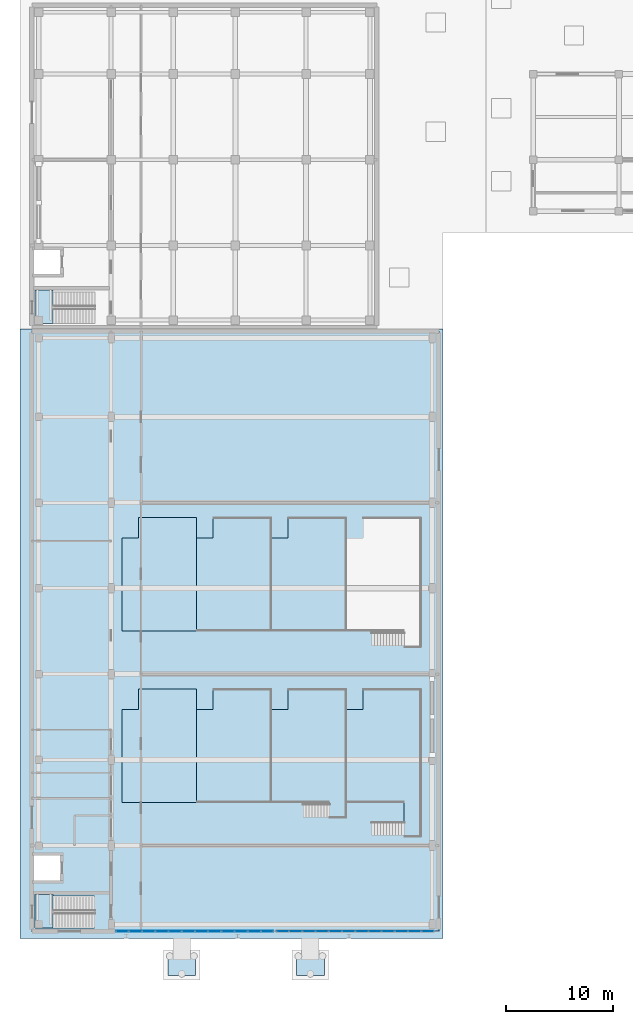
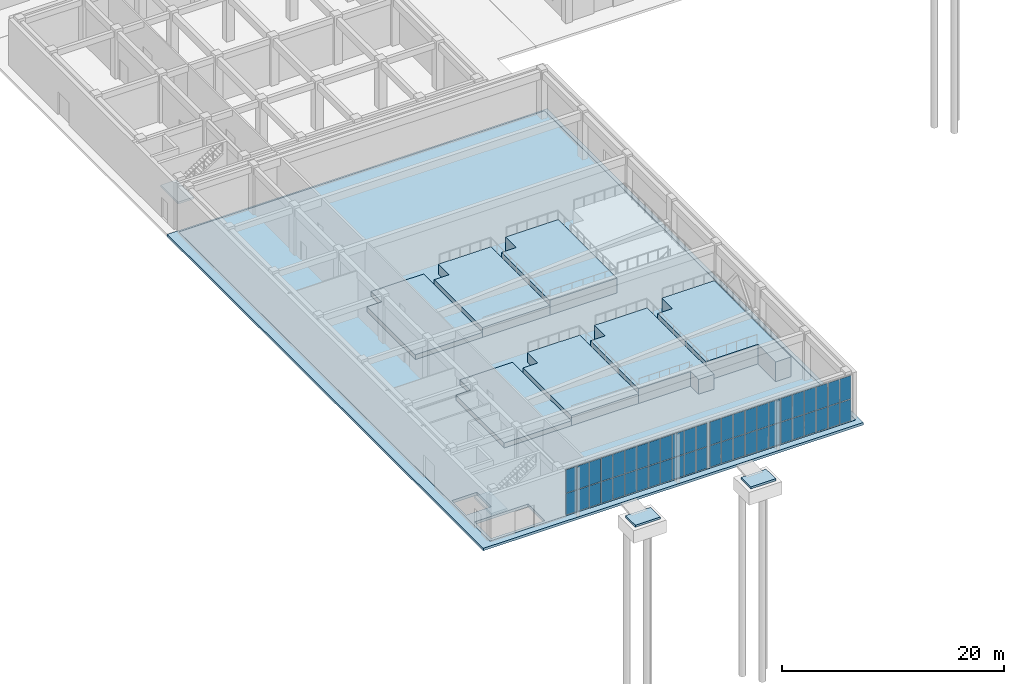
# One storey, part 22 of 46: 48 plates, 13 slabs, 4 elements without a shape of their own.
"""IFC4 building model written with IfcOpenShell, lengths in metres."""

from ifc_helpers import new_model, si_unit, direction, frame, origin, origin_2d, place, context, subcontext, project, spatial, polyline, rectangle, outline, extrude, material, layer, layer_set, type_object, element, aggregate, save


model = new_model("IFC4")

# Units and contexts
model_context = context("Model", 3, precision=1e-05, world=origin(), true_north=direction((0.0, 1.0)))
body_context = subcontext(model_context, "Body", "Model", "MODEL_VIEW")
ifc_project = project(units=[si_unit("LENGTHUNIT", "METRE"), si_unit("AREAUNIT", "SQUARE_METRE"), si_unit("VOLUMEUNIT", "CUBIC_METRE"), si_unit("PLANEANGLEUNIT", "RADIAN"), si_unit("MASSUNIT", "GRAM", prefix="KILO")], contexts=[model_context])

# Site, building, storey
site_placement = place(None, origin())
site = spatial("IfcSite", under=ifc_project, at=site_placement, CompositionType="ELEMENT")
building_placement = place(site_placement, origin())
building = spatial("IfcBuilding", under=site, at=building_placement, Name="Cinchona Park Media Centre", CompositionType="ELEMENT")
storey_placement = place(building_placement, origin())
storey = spatial("IfcBuildingStorey", under=building, at=storey_placement, Name="L00", CompositionType="ELEMENT", Elevation=0.0)

# Curtain wall, plates
ifc_material_1 = material(Name="Aluminium Curtain Wall Framing", Category="aluminium")
ifc_layer_1 = layer(ifc_material_1, 0.179931640625)
ifc_layer_set_1 = layer_set([ifc_layer_1], Name="Aluminium Curtain Wall Framing")
curtain_wall_type_1 = type_object("IfcCurtainWallType", Name="CW-CW01", PredefinedType="USERDEFINED", material=ifc_layer_set_1)
curtain_wall_1_placement = place(storey_placement, origin())
curtain_wall_1 = element("IfcCurtainWall", 1, at=curtain_wall_1_placement, inside=storey, type_object=curtain_wall_type_1, Name="Curtain Wall CW01 L00", ObjectType="UNITISED CURTAIN WALL", PredefinedType="USERDEFINED")
ifc_material_2 = material(Name="Laminated Solar-Control Double Glazing", Category="glass")
ifc_layer_2 = layer(ifc_material_2, 0.0400390625)
ifc_layer_set_2 = layer_set([ifc_layer_2], Name="Laminated Solar-Control Double Glazing")
plate_type_1 = type_object("IfcPlateType", Name="CWPANEL-PNL03", PredefinedType="CURTAIN_PANEL", material=ifc_layer_set_2)
plate_1_placement = place(storey_placement, frame((44.947021484375, 7.60009765625, 0.115234375), z_axis=(0.0, 0.0, 1.0), x_axis=(-1.0, 0.0, 0.0)))
plate_1 = element("IfcPlate", 2, at=plate_1_placement, type_object=plate_type_1, Name="CW01 panel 1.1", PredefinedType="CURTAIN_PANEL", context=body_context, shape_type="SweptSolid", body=[
    extrude(rectangle(XDim=1.1357421875, YDim=0.0400390625, at=origin_2d()), origin(), (0.0, 0.0, 1.0), 2.345458984375),
])
plate_2_placement = place(storey_placement, frame((44.947021484375, 7.60009765625, 2.525390625), z_axis=(0.0, 0.0, 1.0), x_axis=(-1.0, 0.0, 0.0)))
plate_2 = element("IfcPlate", 3, at=plate_2_placement, type_object=plate_type_1, Name="CW01 panel 1.2", PredefinedType="CURTAIN_PANEL", context=body_context, shape_type="SweptSolid", body=[
    extrude(rectangle(XDim=1.1357421875, YDim=0.0400390625, at=origin_2d()), origin(), (0.0, 0.0, 1.0), 2.549560546875),
])
plate_3_placement = place(storey_placement, frame((43.72998046875, 7.60009765625, 0.115234375), z_axis=(0.0, 0.0, 1.0), x_axis=(-1.0, 0.0, 0.0)))
plate_3 = element("IfcPlate", 4, at=plate_3_placement, type_object=plate_type_1, Name="CW01 panel 2.1", PredefinedType="CURTAIN_PANEL", context=body_context, shape_type="SweptSolid", body=[
    extrude(rectangle(XDim=1.168212890625, YDim=0.0400390625, at=origin_2d()), origin(), (0.0, 0.0, 1.0), 2.345458984375),
])
plate_4_placement = place(storey_placement, frame((43.72998046875, 7.60009765625, 2.525390625), z_axis=(0.0, 0.0, 1.0), x_axis=(-1.0, 0.0, 0.0)))
plate_4 = element("IfcPlate", 5, at=plate_4_placement, type_object=plate_type_1, Name="CW01 panel 2.2", PredefinedType="CURTAIN_PANEL", context=body_context, shape_type="SweptSolid", body=[
    extrude(rectangle(XDim=1.168212890625, YDim=0.0400390625, at=origin_2d()), origin(), (0.0, 0.0, 1.0), 2.549560546875),
])
plate_5_placement = place(storey_placement, frame((42.49658203125, 7.60009765625, 0.115234375), z_axis=(0.0, 0.0, 1.0), x_axis=(-1.0, 0.0, 0.0)))
plate_5 = element("IfcPlate", 6, at=plate_5_placement, type_object=plate_type_1, Name="CW01 panel 3.1", PredefinedType="CURTAIN_PANEL", context=body_context, shape_type="SweptSolid", body=[
    extrude(rectangle(XDim=1.168212890625, YDim=0.0400390625, at=origin_2d()), origin(), (0.0, 0.0, 1.0), 2.345458984375),
])
plate_6_placement = place(storey_placement, frame((42.49658203125, 7.60009765625, 2.525390625), z_axis=(0.0, 0.0, 1.0), x_axis=(-1.0, 0.0, 0.0)))
plate_6 = element("IfcPlate", 7, at=plate_6_placement, type_object=plate_type_1, Name="CW01 panel 3.2", PredefinedType="CURTAIN_PANEL", context=body_context, shape_type="SweptSolid", body=[
    extrude(rectangle(XDim=1.168212890625, YDim=0.0400390625, at=origin_2d()), origin(), (0.0, 0.0, 1.0), 2.549560546875),
])
plate_7_placement = place(storey_placement, frame((41.263427734375, 7.60009765625, 0.115234375), z_axis=(0.0, 0.0, 1.0), x_axis=(-1.0, 0.0, 0.0)))
plate_7 = element("IfcPlate", 8, at=plate_7_placement, type_object=plate_type_1, Name="CW01 panel 4.1", PredefinedType="CURTAIN_PANEL", context=body_context, shape_type="SweptSolid", body=[
    extrude(rectangle(XDim=1.168212890625, YDim=0.0400390625, at=origin_2d()), origin(), (0.0, 0.0, 1.0), 2.345458984375),
])
plate_8_placement = place(storey_placement, frame((41.263427734375, 7.60009765625, 2.525390625), z_axis=(0.0, 0.0, 1.0), x_axis=(-1.0, 0.0, 0.0)))
plate_8 = element("IfcPlate", 9, at=plate_8_placement, type_object=plate_type_1, Name="CW01 panel 4.2", PredefinedType="CURTAIN_PANEL", context=body_context, shape_type="SweptSolid", body=[
    extrude(rectangle(XDim=1.168212890625, YDim=0.0400390625, at=origin_2d()), origin(), (0.0, 0.0, 1.0), 2.549560546875),
])
plate_9_placement = place(storey_placement, frame((40.030029296875, 7.60009765625, 0.115234375), z_axis=(0.0, 0.0, 1.0), x_axis=(-1.0, 0.0, 0.0)))
plate_9 = element("IfcPlate", 10, at=plate_9_placement, type_object=plate_type_1, Name="CW01 panel 5.1", PredefinedType="CURTAIN_PANEL", context=body_context, shape_type="SweptSolid", body=[
    extrude(rectangle(XDim=1.168212890625, YDim=0.0400390625, at=origin_2d()), origin(), (0.0, 0.0, 1.0), 2.345458984375),
])
plate_10_placement = place(storey_placement, frame((40.030029296875, 7.60009765625, 2.525390625), z_axis=(0.0, 0.0, 1.0), x_axis=(-1.0, 0.0, 0.0)))
plate_10 = element("IfcPlate", 11, at=plate_10_placement, type_object=plate_type_1, Name="CW01 panel 5.2", PredefinedType="CURTAIN_PANEL", context=body_context, shape_type="SweptSolid", body=[
    extrude(rectangle(XDim=1.168212890625, YDim=0.0400390625, at=origin_2d()), origin(), (0.0, 0.0, 1.0), 2.549560546875),
])
plate_11_placement = place(storey_placement, frame((38.796630859375, 7.60009765625, 0.115234375), z_axis=(0.0, 0.0, 1.0), x_axis=(-1.0, 0.0, 0.0)))
plate_11 = element("IfcPlate", 12, at=plate_11_placement, type_object=plate_type_1, Name="CW01 panel 6.1", PredefinedType="CURTAIN_PANEL", context=body_context, shape_type="SweptSolid", body=[
    extrude(rectangle(XDim=1.168212890625, YDim=0.0400390625, at=origin_2d()), origin(), (0.0, 0.0, 1.0), 2.345458984375),
])
plate_12_placement = place(storey_placement, frame((38.796630859375, 7.60009765625, 2.525390625), z_axis=(0.0, 0.0, 1.0), x_axis=(-1.0, 0.0, 0.0)))
plate_12 = element("IfcPlate", 13, at=plate_12_placement, type_object=plate_type_1, Name="CW01 panel 6.2", PredefinedType="CURTAIN_PANEL", context=body_context, shape_type="SweptSolid", body=[
    extrude(rectangle(XDim=1.168212890625, YDim=0.0400390625, at=origin_2d()), origin(), (0.0, 0.0, 1.0), 2.549560546875),
])
plate_13_placement = place(storey_placement, frame((37.563232421875, 7.60009765625, 0.115234375), z_axis=(0.0, 0.0, 1.0), x_axis=(-1.0, 0.0, 0.0)))
plate_13 = element("IfcPlate", 14, at=plate_13_placement, type_object=plate_type_1, Name="CW01 panel 7.1", PredefinedType="CURTAIN_PANEL", context=body_context, shape_type="SweptSolid", body=[
    extrude(rectangle(XDim=1.168212890625, YDim=0.0400390625, at=origin_2d()), origin(), (0.0, 0.0, 1.0), 2.345458984375),
])
plate_14_placement = place(storey_placement, frame((37.563232421875, 7.60009765625, 2.525390625), z_axis=(0.0, 0.0, 1.0), x_axis=(-1.0, 0.0, 0.0)))
plate_14 = element("IfcPlate", 15, at=plate_14_placement, type_object=plate_type_1, Name="CW01 panel 7.2", PredefinedType="CURTAIN_PANEL", context=body_context, shape_type="SweptSolid", body=[
    extrude(rectangle(XDim=1.168212890625, YDim=0.0400390625, at=origin_2d()), origin(), (0.0, 0.0, 1.0), 2.549560546875),
])
plate_15_placement = place(storey_placement, frame((36.330078125, 7.60009765625, 0.115234375), z_axis=(0.0, 0.0, 1.0), x_axis=(-1.0, 0.0, 0.0)))
plate_15 = element("IfcPlate", 16, at=plate_15_placement, type_object=plate_type_1, Name="CW01 panel 8.1", PredefinedType="CURTAIN_PANEL", context=body_context, shape_type="SweptSolid", body=[
    extrude(rectangle(XDim=1.168212890625, YDim=0.0400390625, at=origin_2d()), origin(), (0.0, 0.0, 1.0), 2.345458984375),
])
plate_16_placement = place(storey_placement, frame((36.330078125, 7.60009765625, 2.525390625), z_axis=(0.0, 0.0, 1.0), x_axis=(-1.0, 0.0, 0.0)))
plate_16 = element("IfcPlate", 17, at=plate_16_placement, type_object=plate_type_1, Name="CW01 panel 8.2", PredefinedType="CURTAIN_PANEL", context=body_context, shape_type="SweptSolid", body=[
    extrude(rectangle(XDim=1.168212890625, YDim=0.0400390625, at=origin_2d()), origin(), (0.0, 0.0, 1.0), 2.549560546875),
])
plate_17_placement = place(storey_placement, frame((35.0966796875, 7.60009765625, 0.115234375), z_axis=(0.0, 0.0, 1.0), x_axis=(-1.0, 0.0, 0.0)))
plate_17 = element("IfcPlate", 18, at=plate_17_placement, type_object=plate_type_1, Name="CW01 panel 9.1", PredefinedType="CURTAIN_PANEL", context=body_context, shape_type="SweptSolid", body=[
    extrude(rectangle(XDim=1.168212890625, YDim=0.0400390625, at=origin_2d()), origin(), (0.0, 0.0, 1.0), 2.345458984375),
])
plate_18_placement = place(storey_placement, frame((35.0966796875, 7.60009765625, 2.525390625), z_axis=(0.0, 0.0, 1.0), x_axis=(-1.0, 0.0, 0.0)))
plate_18 = element("IfcPlate", 19, at=plate_18_placement, type_object=plate_type_1, Name="CW01 panel 9.2", PredefinedType="CURTAIN_PANEL", context=body_context, shape_type="SweptSolid", body=[
    extrude(rectangle(XDim=1.168212890625, YDim=0.0400390625, at=origin_2d()), origin(), (0.0, 0.0, 1.0), 2.549560546875),
])
plate_19_placement = place(storey_placement, frame((33.86328125, 7.60009765625, 0.115234375), z_axis=(0.0, 0.0, 1.0), x_axis=(-1.0, 0.0, 0.0)))
plate_19 = element("IfcPlate", 20, at=plate_19_placement, type_object=plate_type_1, Name="CW01 panel 10.1", PredefinedType="CURTAIN_PANEL", context=body_context, shape_type="SweptSolid", body=[
    extrude(rectangle(XDim=1.168212890625, YDim=0.0400390625, at=origin_2d()), origin(), (0.0, 0.0, 1.0), 2.345458984375),
])
plate_20_placement = place(storey_placement, frame((33.86328125, 7.60009765625, 2.525390625), z_axis=(0.0, 0.0, 1.0), x_axis=(-1.0, 0.0, 0.0)))
plate_20 = element("IfcPlate", 21, at=plate_20_placement, type_object=plate_type_1, Name="CW01 panel 10.2", PredefinedType="CURTAIN_PANEL", context=body_context, shape_type="SweptSolid", body=[
    extrude(rectangle(XDim=1.168212890625, YDim=0.0400390625, at=origin_2d()), origin(), (0.0, 0.0, 1.0), 2.549560546875),
])
plate_21_placement = place(storey_placement, frame((32.6298828125, 7.60009765625, 0.115234375), z_axis=(0.0, 0.0, 1.0), x_axis=(-1.0, 0.0, 0.0)))
plate_21 = element("IfcPlate", 22, at=plate_21_placement, type_object=plate_type_1, Name="CW01 panel 11.1", PredefinedType="CURTAIN_PANEL", context=body_context, shape_type="SweptSolid", body=[
    extrude(rectangle(XDim=1.168212890625, YDim=0.0400390625, at=origin_2d()), origin(), (0.0, 0.0, 1.0), 2.345458984375),
])
plate_22_placement = place(storey_placement, frame((32.6298828125, 7.60009765625, 2.525390625), z_axis=(0.0, 0.0, 1.0), x_axis=(-1.0, 0.0, 0.0)))
plate_22 = element("IfcPlate", 23, at=plate_22_placement, type_object=plate_type_1, Name="CW01 panel 11.2", PredefinedType="CURTAIN_PANEL", context=body_context, shape_type="SweptSolid", body=[
    extrude(rectangle(XDim=1.168212890625, YDim=0.0400390625, at=origin_2d()), origin(), (0.0, 0.0, 1.0), 2.549560546875),
])
plate_23_placement = place(storey_placement, frame((31.412841796875, 7.60009765625, 0.115234375), z_axis=(0.0, 0.0, 1.0), x_axis=(-1.0, 0.0, 0.0)))
plate_23 = element("IfcPlate", 24, at=plate_23_placement, type_object=plate_type_1, Name="CW01 panel 12.1", PredefinedType="CURTAIN_PANEL", context=body_context, shape_type="SweptSolid", body=[
    extrude(rectangle(XDim=1.1357421875, YDim=0.0400390625, at=origin_2d()), origin(), (0.0, 0.0, 1.0), 2.345458984375),
])
plate_24_placement = place(storey_placement, frame((31.412841796875, 7.60009765625, 2.525390625), z_axis=(0.0, 0.0, 1.0), x_axis=(-1.0, 0.0, 0.0)))
plate_24 = element("IfcPlate", 25, at=plate_24_placement, type_object=plate_type_1, Name="CW01 panel 12.2", PredefinedType="CURTAIN_PANEL", context=body_context, shape_type="SweptSolid", body=[
    extrude(rectangle(XDim=1.1357421875, YDim=0.0400390625, at=origin_2d()), origin(), (0.0, 0.0, 1.0), 2.549560546875),
])
aggregate(curtain_wall_1, [plate_1, plate_2, plate_3, plate_4, plate_5, plate_6, plate_7, plate_8, plate_9, plate_10, plate_11, plate_12, plate_13, plate_14, plate_15, plate_16, plate_17, plate_18, plate_19, plate_20, plate_21, plate_22, plate_23, plate_24])

ifc_material_3 = material(Name="Aluminium Curtain Wall Framing", Category="aluminium")
ifc_layer_3 = layer(ifc_material_3, 0.195068359375)
ifc_layer_set_3 = layer_set([ifc_layer_3], Name="Aluminium Curtain Wall Framing")
curtain_wall_type_2 = type_object("IfcCurtainWallType", Name="CW-CW02", PredefinedType="USERDEFINED", material=ifc_layer_set_3)
curtain_wall_2_placement = place(storey_placement, origin())
curtain_wall_2 = element("IfcCurtainWall", 26, at=curtain_wall_2_placement, inside=storey, type_object=curtain_wall_type_2, Name="Curtain Wall CW02 L00", ObjectType="UNITISED CURTAIN WALL", PredefinedType="USERDEFINED")
ifc_material_4 = material(Name="Laminated Solar-Control Double Glazing", Category="glass")
ifc_layer_4 = layer(ifc_material_4, 0.06005859375)
ifc_layer_set_4 = layer_set([ifc_layer_4], Name="Laminated Solar-Control Double Glazing")
plate_type_2 = type_object("IfcPlateType", Name="CWPANEL-PNL05", PredefinedType="CURTAIN_PANEL", material=ifc_layer_set_4)
plate_25_placement = place(storey_placement, frame((29.987060546875, 7.60009765625, 0.115234375), z_axis=(0.0, 0.0, 1.0), x_axis=(-1.0, 0.0, 0.0)))
plate_25 = element("IfcPlate", 27, at=plate_25_placement, type_object=plate_type_2, Name="CW02 panel 1.1", PredefinedType="CURTAIN_PANEL", context=body_context, shape_type="SweptSolid", body=[
    extrude(rectangle(XDim=1.1357421875, YDim=0.06005859375, at=origin_2d()), origin(), (0.0, 0.0, 1.0), 2.345458984375),
])
plate_26_placement = place(storey_placement, frame((29.987060546875, 7.60009765625, 2.525390625), z_axis=(0.0, 0.0, 1.0), x_axis=(-1.0, 0.0, 0.0)))
plate_26 = element("IfcPlate", 28, at=plate_26_placement, type_object=plate_type_2, Name="CW02 panel 1.2", PredefinedType="CURTAIN_PANEL", context=body_context, shape_type="SweptSolid", body=[
    extrude(rectangle(XDim=1.1357421875, YDim=0.06005859375, at=origin_2d()), origin(), (0.0, 0.0, 1.0), 2.549560546875),
])
plate_27_placement = place(storey_placement, frame((28.77001953125, 7.60009765625, 0.115234375), z_axis=(0.0, 0.0, 1.0), x_axis=(-1.0, 0.0, 0.0)))
plate_27 = element("IfcPlate", 29, at=plate_27_placement, type_object=plate_type_2, Name="CW02 panel 2.1", PredefinedType="CURTAIN_PANEL", context=body_context, shape_type="SweptSolid", body=[
    extrude(rectangle(XDim=1.168212890625, YDim=0.06005859375, at=origin_2d()), origin(), (0.0, 0.0, 1.0), 2.345458984375),
])
plate_28_placement = place(storey_placement, frame((28.77001953125, 7.60009765625, 2.525390625), z_axis=(0.0, 0.0, 1.0), x_axis=(-1.0, 0.0, 0.0)))
plate_28 = element("IfcPlate", 30, at=plate_28_placement, type_object=plate_type_2, Name="CW02 panel 2.2", PredefinedType="CURTAIN_PANEL", context=body_context, shape_type="SweptSolid", body=[
    extrude(rectangle(XDim=1.168212890625, YDim=0.06005859375, at=origin_2d()), origin(), (0.0, 0.0, 1.0), 2.549560546875),
])
plate_29_placement = place(storey_placement, frame((27.53662109375, 7.60009765625, 0.115234375), z_axis=(0.0, 0.0, 1.0), x_axis=(-1.0, 0.0, 0.0)))
plate_29 = element("IfcPlate", 31, at=plate_29_placement, type_object=plate_type_2, Name="CW02 panel 3.1", PredefinedType="CURTAIN_PANEL", context=body_context, shape_type="SweptSolid", body=[
    extrude(rectangle(XDim=1.168212890625, YDim=0.06005859375, at=origin_2d()), origin(), (0.0, 0.0, 1.0), 2.345458984375),
])
plate_30_placement = place(storey_placement, frame((27.53662109375, 7.60009765625, 2.525390625), z_axis=(0.0, 0.0, 1.0), x_axis=(-1.0, 0.0, 0.0)))
plate_30 = element("IfcPlate", 32, at=plate_30_placement, type_object=plate_type_2, Name="CW02 panel 3.2", PredefinedType="CURTAIN_PANEL", context=body_context, shape_type="SweptSolid", body=[
    extrude(rectangle(XDim=1.168212890625, YDim=0.06005859375, at=origin_2d()), origin(), (0.0, 0.0, 1.0), 2.549560546875),
])
plate_31_placement = place(storey_placement, frame((26.30322265625, 7.60009765625, 0.115234375), z_axis=(0.0, 0.0, 1.0), x_axis=(-1.0, 0.0, 0.0)))
plate_31 = element("IfcPlate", 33, at=plate_31_placement, type_object=plate_type_2, Name="CW02 panel 4.1", PredefinedType="CURTAIN_PANEL", context=body_context, shape_type="SweptSolid", body=[
    extrude(rectangle(XDim=1.168212890625, YDim=0.06005859375, at=origin_2d()), origin(), (0.0, 0.0, 1.0), 2.345458984375),
])
plate_32_placement = place(storey_placement, frame((26.30322265625, 7.60009765625, 2.525390625), z_axis=(0.0, 0.0, 1.0), x_axis=(-1.0, 0.0, 0.0)))
plate_32 = element("IfcPlate", 34, at=plate_32_placement, type_object=plate_type_2, Name="CW02 panel 4.2", PredefinedType="CURTAIN_PANEL", context=body_context, shape_type="SweptSolid", body=[
    extrude(rectangle(XDim=1.168212890625, YDim=0.06005859375, at=origin_2d()), origin(), (0.0, 0.0, 1.0), 2.549560546875),
])
plate_33_placement = place(storey_placement, frame((25.070068359375, 7.60009765625, 0.115234375), z_axis=(0.0, 0.0, 1.0), x_axis=(-1.0, 0.0, 0.0)))
plate_33 = element("IfcPlate", 35, at=plate_33_placement, type_object=plate_type_2, Name="CW02 panel 5.1", PredefinedType="CURTAIN_PANEL", context=body_context, shape_type="SweptSolid", body=[
    extrude(rectangle(XDim=1.168212890625, YDim=0.06005859375, at=origin_2d()), origin(), (0.0, 0.0, 1.0), 2.345458984375),
])
plate_34_placement = place(storey_placement, frame((25.070068359375, 7.60009765625, 2.525390625), z_axis=(0.0, 0.0, 1.0), x_axis=(-1.0, 0.0, 0.0)))
plate_34 = element("IfcPlate", 36, at=plate_34_placement, type_object=plate_type_2, Name="CW02 panel 5.2", PredefinedType="CURTAIN_PANEL", context=body_context, shape_type="SweptSolid", body=[
    extrude(rectangle(XDim=1.168212890625, YDim=0.06005859375, at=origin_2d()), origin(), (0.0, 0.0, 1.0), 2.549560546875),
])
plate_35_placement = place(storey_placement, frame((23.836669921875, 7.60009765625, 0.115234375), z_axis=(0.0, 0.0, 1.0), x_axis=(-1.0, 0.0, 0.0)))
plate_35 = element("IfcPlate", 37, at=plate_35_placement, type_object=plate_type_2, Name="CW02 panel 6.1", PredefinedType="CURTAIN_PANEL", context=body_context, shape_type="SweptSolid", body=[
    extrude(rectangle(XDim=1.168212890625, YDim=0.06005859375, at=origin_2d()), origin(), (0.0, 0.0, 1.0), 2.345458984375),
])
plate_36_placement = place(storey_placement, frame((23.836669921875, 7.60009765625, 2.525390625), z_axis=(0.0, 0.0, 1.0), x_axis=(-1.0, 0.0, 0.0)))
plate_36 = element("IfcPlate", 38, at=plate_36_placement, type_object=plate_type_2, Name="CW02 panel 6.2", PredefinedType="CURTAIN_PANEL", context=body_context, shape_type="SweptSolid", body=[
    extrude(rectangle(XDim=1.168212890625, YDim=0.06005859375, at=origin_2d()), origin(), (0.0, 0.0, 1.0), 2.549560546875),
])
plate_37_placement = place(storey_placement, frame((22.603271484375, 7.60009765625, 0.115234375), z_axis=(0.0, 0.0, 1.0), x_axis=(-1.0, 0.0, 0.0)))
plate_37 = element("IfcPlate", 39, at=plate_37_placement, type_object=plate_type_2, Name="CW02 panel 7.1", PredefinedType="CURTAIN_PANEL", context=body_context, shape_type="SweptSolid", body=[
    extrude(rectangle(XDim=1.168212890625, YDim=0.06005859375, at=origin_2d()), origin(), (0.0, 0.0, 1.0), 2.345458984375),
])
plate_38_placement = place(storey_placement, frame((22.603271484375, 7.60009765625, 2.525390625), z_axis=(0.0, 0.0, 1.0), x_axis=(-1.0, 0.0, 0.0)))
plate_38 = element("IfcPlate", 40, at=plate_38_placement, type_object=plate_type_2, Name="CW02 panel 7.2", PredefinedType="CURTAIN_PANEL", context=body_context, shape_type="SweptSolid", body=[
    extrude(rectangle(XDim=1.168212890625, YDim=0.06005859375, at=origin_2d()), origin(), (0.0, 0.0, 1.0), 2.549560546875),
])
plate_39_placement = place(storey_placement, frame((21.3701171875, 7.60009765625, 0.115234375), z_axis=(0.0, 0.0, 1.0), x_axis=(-1.0, 0.0, 0.0)))
plate_39 = element("IfcPlate", 41, at=plate_39_placement, type_object=plate_type_2, Name="CW02 panel 8.1", PredefinedType="CURTAIN_PANEL", context=body_context, shape_type="SweptSolid", body=[
    extrude(rectangle(XDim=1.168212890625, YDim=0.06005859375, at=origin_2d()), origin(), (0.0, 0.0, 1.0), 2.345458984375),
])
plate_40_placement = place(storey_placement, frame((21.3701171875, 7.60009765625, 2.525390625), z_axis=(0.0, 0.0, 1.0), x_axis=(-1.0, 0.0, 0.0)))
plate_40 = element("IfcPlate", 42, at=plate_40_placement, type_object=plate_type_2, Name="CW02 panel 8.2", PredefinedType="CURTAIN_PANEL", context=body_context, shape_type="SweptSolid", body=[
    extrude(rectangle(XDim=1.168212890625, YDim=0.06005859375, at=origin_2d()), origin(), (0.0, 0.0, 1.0), 2.549560546875),
])
plate_41_placement = place(storey_placement, frame((20.13671875, 7.60009765625, 0.115234375), z_axis=(0.0, 0.0, 1.0), x_axis=(-1.0, 0.0, 0.0)))
plate_41 = element("IfcPlate", 43, at=plate_41_placement, type_object=plate_type_2, Name="CW02 panel 9.1", PredefinedType="CURTAIN_PANEL", context=body_context, shape_type="SweptSolid", body=[
    extrude(rectangle(XDim=1.168212890625, YDim=0.06005859375, at=origin_2d()), origin(), (0.0, 0.0, 1.0), 2.345458984375),
])
plate_42_placement = place(storey_placement, frame((20.13671875, 7.60009765625, 2.525390625), z_axis=(0.0, 0.0, 1.0), x_axis=(-1.0, 0.0, 0.0)))
plate_42 = element("IfcPlate", 44, at=plate_42_placement, type_object=plate_type_2, Name="CW02 panel 9.2", PredefinedType="CURTAIN_PANEL", context=body_context, shape_type="SweptSolid", body=[
    extrude(rectangle(XDim=1.168212890625, YDim=0.06005859375, at=origin_2d()), origin(), (0.0, 0.0, 1.0), 2.549560546875),
])
plate_43_placement = place(storey_placement, frame((18.9033203125, 7.60009765625, 0.115234375), z_axis=(0.0, 0.0, 1.0), x_axis=(-1.0, 0.0, 0.0)))
plate_43 = element("IfcPlate", 45, at=plate_43_placement, type_object=plate_type_2, Name="CW02 panel 10.1", PredefinedType="CURTAIN_PANEL", context=body_context, shape_type="SweptSolid", body=[
    extrude(rectangle(XDim=1.168212890625, YDim=0.06005859375, at=origin_2d()), origin(), (0.0, 0.0, 1.0), 2.345458984375),
])
plate_44_placement = place(storey_placement, frame((18.9033203125, 7.60009765625, 2.525390625), z_axis=(0.0, 0.0, 1.0), x_axis=(-1.0, 0.0, 0.0)))
plate_44 = element("IfcPlate", 46, at=plate_44_placement, type_object=plate_type_2, Name="CW02 panel 10.2", PredefinedType="CURTAIN_PANEL", context=body_context, shape_type="SweptSolid", body=[
    extrude(rectangle(XDim=1.168212890625, YDim=0.06005859375, at=origin_2d()), origin(), (0.0, 0.0, 1.0), 2.549560546875),
])
plate_45_placement = place(storey_placement, frame((17.669921875, 7.60009765625, 0.115234375), z_axis=(0.0, 0.0, 1.0), x_axis=(-1.0, 0.0, 0.0)))
plate_45 = element("IfcPlate", 47, at=plate_45_placement, type_object=plate_type_2, Name="CW02 panel 11.1", PredefinedType="CURTAIN_PANEL", context=body_context, shape_type="SweptSolid", body=[
    extrude(rectangle(XDim=1.168212890625, YDim=0.06005859375, at=origin_2d()), origin(), (0.0, 0.0, 1.0), 2.345458984375),
])
plate_46_placement = place(storey_placement, frame((17.669921875, 7.60009765625, 2.525390625), z_axis=(0.0, 0.0, 1.0), x_axis=(-1.0, 0.0, 0.0)))
plate_46 = element("IfcPlate", 48, at=plate_46_placement, type_object=plate_type_2, Name="CW02 panel 11.2", PredefinedType="CURTAIN_PANEL", context=body_context, shape_type="SweptSolid", body=[
    extrude(rectangle(XDim=1.168212890625, YDim=0.06005859375, at=origin_2d()), origin(), (0.0, 0.0, 1.0), 2.549560546875),
])
plate_47_placement = place(storey_placement, frame((16.452880859375, 7.60009765625, 0.115234375), z_axis=(0.0, 0.0, 1.0), x_axis=(-1.0, 0.0, 0.0)))
plate_47 = element("IfcPlate", 49, at=plate_47_placement, type_object=plate_type_2, Name="CW02 panel 12.1", PredefinedType="CURTAIN_PANEL", context=body_context, shape_type="SweptSolid", body=[
    extrude(rectangle(XDim=1.1357421875, YDim=0.06005859375, at=origin_2d()), origin(), (0.0, 0.0, 1.0), 2.345458984375),
])
plate_48_placement = place(storey_placement, frame((16.452880859375, 7.60009765625, 2.525390625), z_axis=(0.0, 0.0, 1.0), x_axis=(-1.0, 0.0, 0.0)))
plate_48 = element("IfcPlate", 50, at=plate_48_placement, type_object=plate_type_2, Name="CW02 panel 12.2", PredefinedType="CURTAIN_PANEL", context=body_context, shape_type="SweptSolid", body=[
    extrude(rectangle(XDim=1.1357421875, YDim=0.06005859375, at=origin_2d()), origin(), (0.0, 0.0, 1.0), 2.549560546875),
])
aggregate(curtain_wall_2, [plate_25, plate_26, plate_27, plate_28, plate_29, plate_30, plate_31, plate_32, plate_33, plate_34, plate_35, plate_36, plate_37, plate_38, plate_39, plate_40, plate_41, plate_42, plate_43, plate_44, plate_45, plate_46, plate_47, plate_48])

# Stair, slab
ifc_material_5 = material(Name="Concrete C35/45", Category="concrete")
stair_type_1 = type_object("IfcStairType", Name="STAIR-ST3-HT54", PredefinedType="HALF_TURN_STAIR", material=ifc_material_5)
stair_1_placement = place(storey_placement, origin())
stair_1 = element("IfcStair", 51, at=stair_1_placement, inside=storey, type_object=stair_type_1, Name="Exit Stair ST3 L00", PredefinedType="HALF_TURN_STAIR")
ifc_material_6 = material(Name="Concrete C35/45", Category="concrete")
ifc_layer_5 = layer(ifc_material_6, 0.205078125)
ifc_layer_set_5 = layer_set([ifc_layer_5], Name="Concrete C35/45")
slab_type_1 = type_object("IfcSlabType", Name="LANDING-LDG01", PredefinedType="LANDING", material=ifc_layer_set_5)
slab_1_placement = place(storey_placement, frame((0.0, 0.0, 2.4951171875)))
slab_1 = element("IfcSlab", 52, at=slab_1_placement, type_object=slab_type_1, Name="ST3 landing 1", PredefinedType="LANDING", context=body_context, shape_type="SweptSolid", body=[
    extrude(outline(polyline([(8.320068359375, 64.320068359375), (9.97998046875, 64.320068359375), (9.97998046875, 67.445068359375), (8.320068359375, 67.445068359375), (8.320068359375, 64.320068359375)])), origin(), (0.0, 0.0, 1.0), 0.204833984375),
])
aggregate(stair_1, [slab_1])

ifc_material_7 = material(Name="Concrete C35/45", Category="concrete")
stair_type_2 = type_object("IfcStairType", Name="STAIR-ST6-HT54", PredefinedType="HALF_TURN_STAIR", material=ifc_material_7)
stair_2_placement = place(storey_placement, origin())
stair_2 = element("IfcStair", 53, at=stair_2_placement, inside=storey, type_object=stair_type_2, Name="Exit Stair ST6 L00", PredefinedType="HALF_TURN_STAIR")
slab_2_placement = place(storey_placement, frame((0.0, 0.0, 2.4951171875)))
slab_2 = element("IfcSlab", 54, at=slab_2_placement, type_object=slab_type_1, Name="ST6 landing 1", PredefinedType="LANDING", context=body_context, shape_type="SweptSolid", body=[
    extrude(outline(polyline([(8.320068359375, 7.919921875), (9.97998046875, 7.919921875), (9.97998046875, 11.044921875), (8.320068359375, 11.044921875), (8.320068359375, 7.919921875)])), origin(), (0.0, 0.0, 1.0), 0.204833984375),
])
aggregate(stair_2, [slab_2])

# Slabs
ifc_material_8 = material(Name="Concrete C35/45", Category="concrete")
ifc_layer_6 = layer(ifc_material_8, 0.27001953125)
ifc_layer_set_6 = layer_set([ifc_layer_6], Name="Concrete C35/45")
slab_type_2 = type_object("IfcSlabType", Name="SLAB-PLZ01-270", PredefinedType="FLOOR", material=ifc_layer_set_6)
slab_3_placement = place(storey_placement, frame((0.0, 0.0, -0.27001953125)))
element("IfcSlab", 55, at=slab_3_placement, inside=storey, type_object=slab_type_2, Name="Landscaped Park Court Plaza Deck 1", PredefinedType="FLOOR", context=body_context, shape_type="SweptSolid", body=[
    extrude(outline(polyline([(46.39990234375, 6.89990234375), (6.89990234375, 6.89990234375), (6.89990234375, 63.7900390625), (46.39990234375, 63.7900390625), (46.39990234375, 6.89990234375)]), holes=[polyline([(7.985107421875, 7.5849609375), (46.014892578125, 7.5849609375), (46.014892578125, 63.614990234375), (7.985107421875, 63.614990234375), (7.985107421875, 7.5849609375)])]), origin(), (0.0, 0.0, 1.0), 0.27001953125),
])
ifc_material_9 = material(Name="Concrete C40/50", Category="concrete")
ifc_layer_7 = layer(ifc_material_9, 0.22509765625)
ifc_layer_set_7 = layer_set([ifc_layer_7], Name="Concrete C40/50")
slab_type_3 = type_object("IfcSlabType", Name="SLAB-RSL01-225", PredefinedType="FLOOR", material=ifc_layer_set_7)
slab_4_placement = place(storey_placement, frame((0.0, 0.0, -0.425048828125)))
element("IfcSlab", 56, at=slab_4_placement, inside=storey, type_object=slab_type_3, Name="Ramp Landing Base Slab RMP-01", PredefinedType="FLOOR", context=body_context, shape_type="SweptSolid", body=[
    extrude(outline(polyline([(20.699951171875, 3.449951171875), (23.300048828125, 3.449951171875), (23.300048828125, 5.199951171875), (20.699951171875, 5.199951171875), (20.699951171875, 3.449951171875)])), origin(), (0.0, 0.0, 1.0), 0.22509765625),
])
slab_5_placement = place(storey_placement, frame((0.0, 0.0, -0.425048828125)))
element("IfcSlab", 57, at=slab_5_placement, inside=storey, type_object=slab_type_3, Name="Ramp Landing Base Slab RMP-02", PredefinedType="FLOOR", context=body_context, shape_type="SweptSolid", body=[
    extrude(outline(polyline([(32.699951171875, 3.449951171875), (35.300048828125, 3.449951171875), (35.300048828125, 5.199951171875), (32.699951171875, 5.199951171875), (32.699951171875, 3.449951171875)])), origin(), (0.0, 0.0, 1.0), 0.22509765625),
])
ifc_material_10 = material(Name="Concrete C35/45", Category="concrete")
ifc_layer_8 = layer(ifc_material_10, 0.300048828125)
ifc_layer_set_8 = layer_set([ifc_layer_8], Name="Concrete C35/45")
slab_type_4 = type_object("IfcSlabType", Name="SLAB-SL03-300", PredefinedType="FLOOR", material=ifc_layer_set_8)
slab_6_placement = place(storey_placement, frame((0.0, 0.0, -0.300048828125)))
element("IfcSlab", 58, at=slab_6_placement, inside=storey, type_object=slab_type_4, Name="Floor Slab V1 L00", PredefinedType="FLOOR", context=body_context, shape_type="SweptSolid", body=[
    extrude(outline(polyline([(8.0, 7.60009765625), (46.0, 7.60009765625), (46.0, 63.60009765625), (8.0, 63.60009765625), (8.0, 7.60009765625)]), holes=[polyline([(8.300048828125, 7.89990234375), (13.864990234375, 7.89990234375), (13.864990234375, 10.89990234375), (8.300048828125, 10.89990234375), (8.300048828125, 7.89990234375)]), polyline([(8.199951171875, 12.199951171875), (10.800048828125, 12.199951171875), (10.800048828125, 14.800048828125), (8.199951171875, 14.800048828125), (8.199951171875, 12.199951171875)])]), origin(), (0.0, 0.0, 1.0), 0.300048828125),
])
ifc_material_11 = material(Name="Concrete C35/45", Category="concrete")
ifc_layer_9 = layer(ifc_material_11, 0.2099609375)
ifc_layer_set_9 = layer_set([ifc_layer_9], Name="Concrete C35/45")
slab_type_5 = type_object("IfcSlabType", Name="SLAB-STIER01-210", PredefinedType="USERDEFINED", material=ifc_layer_set_9)
slab_7_placement = place(storey_placement, origin())
element("IfcSlab", 59, at=slab_7_placement, inside=storey, type_object=slab_type_5, Name="Stand Cinema Hall 1 Seating Tier 1", ObjectType="SEATING TIER", PredefinedType="USERDEFINED", context=body_context, shape_type="SweptSolid", body=[
    extrude(outline(polyline([(16.39990234375, 19.60009765625), (23.389892578125, 19.60009765625), (23.389892578125, 30.199951171875), (17.93798828125, 30.199951171875), (17.93798828125, 28.2919921875), (16.39990234375, 28.2919921875), (16.39990234375, 19.60009765625)])), origin(), (0.0, 0.0, 1.0), 0.5400390625),
])
slab_8_placement = place(storey_placement, origin())
element("IfcSlab", 60, at=slab_8_placement, inside=storey, type_object=slab_type_5, Name="Stand Cinema Hall 1 Seating Tier 2", ObjectType="SEATING TIER", PredefinedType="USERDEFINED", context=body_context, shape_type="SweptSolid", body=[
    extrude(outline(polyline([(23.389892578125, 19.60009765625), (30.3798828125, 19.60009765625), (30.3798828125, 30.199951171875), (24.927978515625, 30.199951171875), (24.927978515625, 28.2919921875), (23.389892578125, 28.2919921875), (23.389892578125, 19.60009765625)])), origin(), (0.0, 0.0, 1.0), 1.080078125),
])
slab_9_placement = place(storey_placement, origin())
element("IfcSlab", 61, at=slab_9_placement, inside=storey, type_object=slab_type_5, Name="Stand Cinema Hall 1 Seating Tier 3", ObjectType="SEATING TIER", PredefinedType="USERDEFINED", context=body_context, shape_type="SweptSolid", body=[
    extrude(outline(polyline([(30.3798828125, 19.60009765625), (35.77001953125, 19.60009765625), (35.77001953125, 18.14990234375), (37.3701171875, 18.14990234375), (37.3701171875, 30.199951171875), (31.91796875, 30.199951171875), (31.91796875, 28.2919921875), (30.3798828125, 28.2919921875), (30.3798828125, 19.60009765625)])), origin(), (0.0, 0.0, 1.0), 1.6201171875),
])
slab_10_placement = place(storey_placement, origin())
element("IfcSlab", 62, at=slab_10_placement, inside=storey, type_object=slab_type_5, Name="Stand Cinema Hall 1 Seating Tier 4", ObjectType="SEATING TIER", PredefinedType="USERDEFINED", context=body_context, shape_type="SweptSolid", body=[
    extrude(outline(polyline([(37.3701171875, 19.60009765625), (42.760009765625, 19.60009765625), (42.760009765625, 16.39990234375), (44.360107421875, 16.39990234375), (44.360107421875, 30.199951171875), (38.907958984375, 30.199951171875), (38.907958984375, 28.2919921875), (37.3701171875, 28.2919921875), (37.3701171875, 19.60009765625)])), origin(), (0.0, 0.0, 1.0), 2.159912109375),
])
slab_11_placement = place(storey_placement, origin())
element("IfcSlab", 63, at=slab_11_placement, inside=storey, type_object=slab_type_5, Name="Stand Cinema Hall 2 Seating Tier 1", ObjectType="SEATING TIER", PredefinedType="USERDEFINED", context=body_context, shape_type="SweptSolid", body=[
    extrude(outline(polyline([(16.39990234375, 35.60009765625), (23.389892578125, 35.60009765625), (23.389892578125, 46.199951171875), (17.93798828125, 46.199951171875), (17.93798828125, 44.2919921875), (16.39990234375, 44.2919921875), (16.39990234375, 35.60009765625)])), origin(), (0.0, 0.0, 1.0), 0.5400390625),
])
slab_12_placement = place(storey_placement, origin())
element("IfcSlab", 64, at=slab_12_placement, inside=storey, type_object=slab_type_5, Name="Stand Cinema Hall 2 Seating Tier 2", ObjectType="SEATING TIER", PredefinedType="USERDEFINED", context=body_context, shape_type="SweptSolid", body=[
    extrude(outline(polyline([(23.389892578125, 35.60009765625), (30.3798828125, 35.60009765625), (30.3798828125, 46.199951171875), (24.927978515625, 46.199951171875), (24.927978515625, 44.2919921875), (23.389892578125, 44.2919921875), (23.389892578125, 35.60009765625)])), origin(), (0.0, 0.0, 1.0), 1.080078125),
])
slab_13_placement = place(storey_placement, origin())
element("IfcSlab", 65, at=slab_13_placement, inside=storey, type_object=slab_type_5, Name="Stand Cinema Hall 2 Seating Tier 3", ObjectType="SEATING TIER", PredefinedType="USERDEFINED", context=body_context, shape_type="SweptSolid", body=[
    extrude(outline(polyline([(30.3798828125, 35.60009765625), (37.3701171875, 35.60009765625), (37.3701171875, 46.199951171875), (31.91796875, 46.199951171875), (31.91796875, 44.2919921875), (30.3798828125, 44.2919921875), (30.3798828125, 35.60009765625)])), origin(), (0.0, 0.0, 1.0), 1.6201171875),
])

save(model, "model.ifc")
